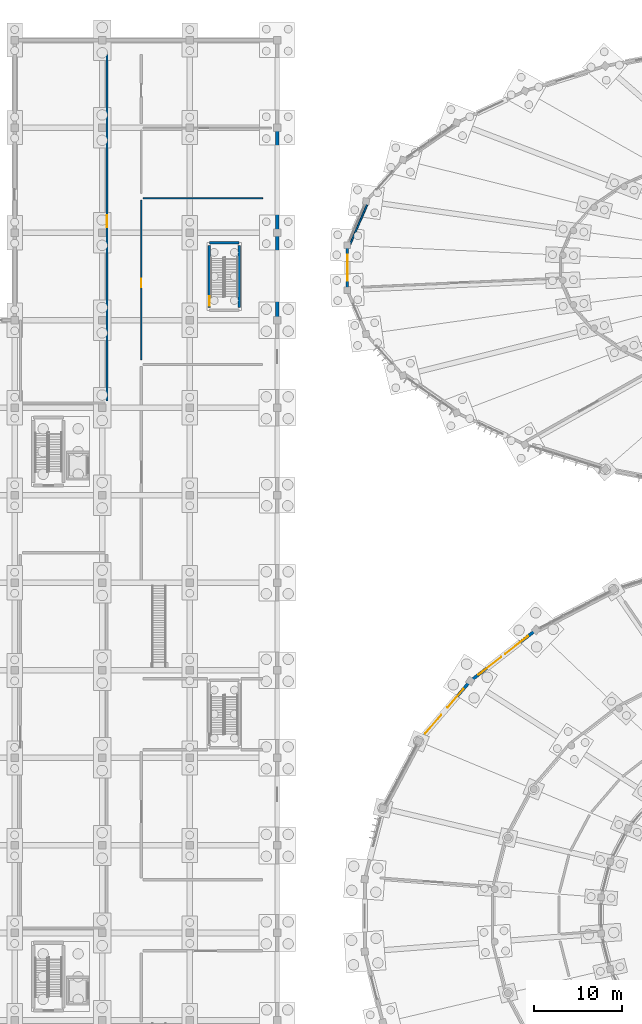
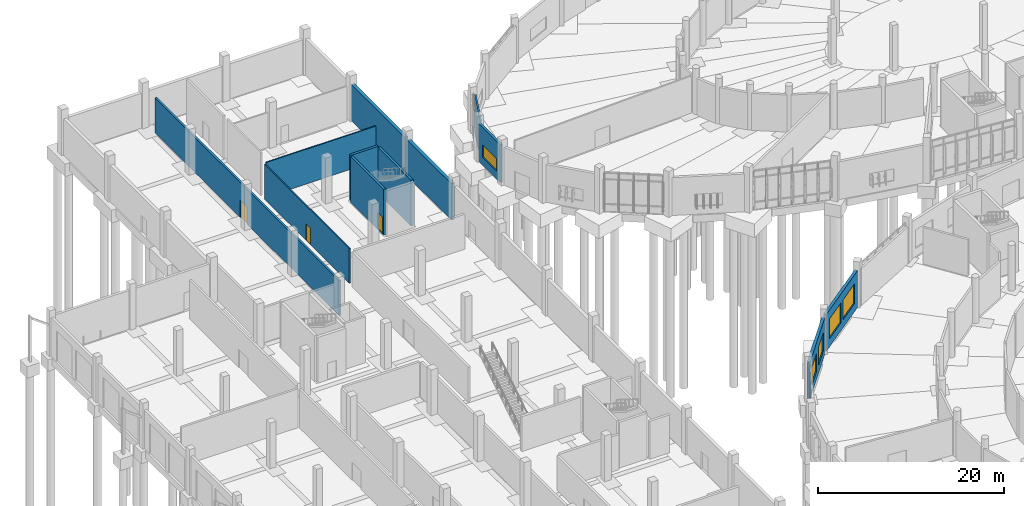
# One storey, part 82 of 140: 12 walls, 5 windows, 3 doors, 8 openings.
"""IFC4 building model written with IfcOpenShell, lengths in metres."""

from ifc_helpers import new_model, si_unit, direction, frame, frame_2d, origin, place, context, subcontext, project, spatial, rectangle, extrude, material, layer, layer_set, type_object, element, fill, save


model = new_model("IFC4")

# Units and contexts
model_context = context("Model", 3, precision=1e-05, world=origin(), true_north=direction((0.0, 1.0)))
body_context = subcontext(model_context, "Body", "Model", "MODEL_VIEW")
ifc_project = project(units=[si_unit("LENGTHUNIT", "METRE"), si_unit("AREAUNIT", "SQUARE_METRE"), si_unit("VOLUMEUNIT", "CUBIC_METRE"), si_unit("PLANEANGLEUNIT", "RADIAN"), si_unit("MASSUNIT", "GRAM", prefix="KILO")], contexts=[model_context])

# Site, building, storey
site_placement = place(None, origin())
site = spatial("IfcSite", under=ifc_project, at=site_placement, CompositionType="ELEMENT")
building_placement = place(site_placement, origin())
building = spatial("IfcBuilding", under=site, at=building_placement, Name="Corvandel Quay Wholesale Market", CompositionType="ELEMENT")
storey_placement = place(building_placement, origin())
storey = spatial("IfcBuildingStorey", under=building, at=storey_placement, Name="L00", CompositionType="ELEMENT", Elevation=0.0)

# Wall, opening, door
ifc_material_1 = material(Name="Lightweight concrete blockwork", Category="masonry")
ifc_layer_1 = layer(ifc_material_1, 0.239990234375)
ifc_layer_set_1 = layer_set([ifc_layer_1], Name="Lightweight concrete blockwork")
wall_type_1 = type_object("IfcWallType", Name="Fire Compartment Partition PT01 240", PredefinedType="PARTITIONING", material=ifc_layer_set_1)
wall_1_placement = place(storey_placement, frame((30.5400390625, 140.330078125, 0.0), z_axis=(0.0, 0.0, 1.0), x_axis=(0.0, -1.0, 0.0)))
wall_1 = element("IfcWall", 1, at=wall_1_placement, inside=storey, type_object=wall_type_1, Name="Interior Wall IW-0793", PredefinedType="PARTITIONING", context=body_context, shape_type="SweptSolid", body=[
    extrude(rectangle(XDim=39.550048828125, YDim=0.239990234375, at=frame_2d((19.77490234375, 0.0))), origin(), (0.0, 0.0, 1.0), 4.570068359375),
])
opening_1_placement = place(wall_1_placement, frame((18.324951171875, 0.0, 0.0)))
opening_1 = element("IfcOpeningElement", 2, at=opening_1_placement, cuts=wall_1, Name="Opening L00-D121", PredefinedType="OPENING", context=body_context, shape_type="SweptSolid", body=[
    extrude(rectangle(XDim=1.39990234375, YDim=2.25, at=frame_2d((0.699951171875, 1.125))), frame((0.0, 0.1298828125, 0.0), z_axis=(0.0, -1.0, 0.0), x_axis=(1.0, 0.0, 0.0)), (0.0, 0.0, 1.0), 0.260009765625),
])
ifc_material_2 = material(Name="Acoustic louvred fire-rated steel", Category="steel")
door_type_1 = type_object("IfcDoorType", Name="Plant Room Fire Door ID16 1400x2250R", OperationType="SINGLE_SWING_RIGHT", PredefinedType="DOOR", material=ifc_material_2)
door_1_placement = place(opening_1_placement, origin())
door_1 = element("IfcDoor", 3, at=door_1_placement, inside=storey, type_object=door_type_1, Name="Primary Electrical Substation Door", OperationType="SINGLE_SWING_RIGHT", OverallHeight=2.25, OverallWidth=1.39990234375, PredefinedType="DOOR", context=body_context, shape_type="SweptSolid", body=[
    extrude(rectangle(XDim=1.39990234375, YDim=2.25, at=frame_2d((0.699951171875, 1.125))), frame((0.0, 0.02490234375, 0.0), z_axis=(0.0, -1.0, 0.0), x_axis=(1.0, 0.0, 0.0)), (0.0, 0.0, 1.0), 0.050048828125),
])
fill(opening_1, door_1)

# Wall, opening, window
ifc_material_3 = material(Name="Marine precast concrete C45/55", Category="concrete")
ifc_layer_2 = layer(ifc_material_3, 0.31005859375)
ifc_layer_set_2 = layer_set([ifc_layer_2], Name="Marine precast concrete C45/55")
wall_type_2 = type_object("IfcWallType", Name="Fish Hall Marine Precast Wall EW06 310", PredefinedType="SOLIDWALL", material=ifc_layer_set_2)
wall_2_placement = place(storey_placement, frame((58.0, 118.321044921875, 0.0), z_axis=(0.0, 0.0, 1.0), x_axis=(0.0, -1.0, 0.0)))
wall_2 = element("IfcWall", 4, at=wall_2_placement, inside=storey, type_object=wall_type_2, Name="Exterior Wall EW-0121", PredefinedType="SOLIDWALL", context=body_context, shape_type="SweptSolid", body=[
    extrude(rectangle(XDim=4.64208984375, YDim=0.31005859375, at=frame_2d((2.321044921875, 0.0))), origin(), (0.0, 0.0, 1.0), 4.949951171875),
])
opening_2_placement = place(wall_2_placement, frame((0.821044921875, 0.0, 1.050048828125)))
opening_2 = element("IfcOpeningElement", 5, at=opening_2_placement, cuts=wall_2, Name="Opening L00-W059", PredefinedType="OPENING", context=body_context, shape_type="SweptSolid", body=[
    extrude(rectangle(XDim=3.0, YDim=1.60009765625, at=frame_2d((1.5, 0.800048828125))), frame((0.0, 0.1650390625, 0.0), z_axis=(0.0, -1.0, 0.0), x_axis=(1.0, 0.0, 0.0)), (0.0, 0.0, 1.0), 0.330078125),
])
ifc_material_4 = material(Name="Thermally broken bronze anodised aluminium and solar-control low-E double glazing", Category="aluminium")
window_type_1 = type_object("IfcWindowType", Name="Fish Hall High-Level Window WN06 3000x1600", PartitioningType="SINGLE_PANEL", PredefinedType="WINDOW", material=ifc_material_4)
window_1_placement = place(opening_2_placement, origin())
window_1 = element("IfcWindow", 6, at=window_1_placement, inside=storey, type_object=window_type_1, Name="Window L00-W059", OverallHeight=1.60009765625, OverallWidth=3.0, PartitioningType="SINGLE_PANEL", PredefinedType="WINDOW", context=body_context, shape_type="SweptSolid", body=[
    extrude(rectangle(XDim=3.0, YDim=1.60009765625, at=frame_2d((1.5, 0.800048828125))), frame((0.0, 0.030029296875, 0.0), z_axis=(0.0, -1.0, 0.0), x_axis=(1.0, 0.0, 0.0)), (0.0, 0.0, 1.0), 0.06005859375),
])
fill(opening_2, window_1)

# Walls
ifc_material_5 = material(Name="FRP-faced cementitious board stud wall")
ifc_layer_3 = layer(ifc_material_5, 0.179931640625)
ifc_layer_set_3 = layer_set([ifc_layer_3], Name="FRP-faced cementitious board stud wall")
wall_type_3 = type_object("IfcWallType", Name="Hygienic Washdown Partition PT05 180", PredefinedType="PARTITIONING", material=ifc_layer_set_3)
wall_3_placement = place(storey_placement, frame((58.3466796875, 118.710205078125, 0.0), z_axis=(0.0, 0.0, 1.0), x_axis=(0.393751898681, 0.919216754789, 0.0)))
element("IfcWall", 7, at=wall_3_placement, inside=storey, type_object=wall_type_3, Name="Interior Wall IW-0586", PredefinedType="PARTITIONING", context=body_context, shape_type="SweptSolid", body=[
    extrude(rectangle(XDim=4.9287109375, YDim=0.179931640625, at=frame_2d((2.46435546875, 0.0))), origin(), (0.0, 0.0, 1.0), 4.949951171875),
])
ifc_material_6 = material(Name="Insulated precast concrete C45/55", Category="concrete")
ifc_layer_4 = layer(ifc_material_6, 0.39990234375)
ifc_layer_set_4 = layer_set([ifc_layer_4], Name="Insulated precast concrete C45/55")
wall_type_4 = type_object("IfcWallType", Name="Insulated Cold Store Envelope Wall EW03 400", PredefinedType="SOLIDWALL", material=ifc_layer_set_4)
wall_4_placement = place(storey_placement, frame((50.0, 119.760009765625, 0.0), z_axis=(0.0, 0.0, 1.0), x_axis=(0.0, -1.0, 0.0)))
element("IfcWall", 8, at=wall_4_placement, inside=storey, type_object=wall_type_4, Name="Exterior Wall EW-0294", PredefinedType="SOLIDWALL", context=body_context, shape_type="SweptSolid", body=[
    extrude(rectangle(XDim=9.52001953125, YDim=0.39990234375, at=frame_2d((4.760009765625, 0.0))), origin(), (0.0, 0.0, 1.0), 4.77001953125),
])
wall_5_placement = place(storey_placement, frame((50.0, 131.760009765625, 0.0), z_axis=(0.0, 0.0, 1.0), x_axis=(0.0, -1.0, 0.0)))
element("IfcWall", 9, at=wall_5_placement, inside=storey, type_object=wall_type_4, Name="Exterior Wall EW-0300", PredefinedType="SOLIDWALL", context=body_context, shape_type="SweptSolid", body=[
    extrude(rectangle(XDim=11.52001953125, YDim=0.39990234375, at=frame_2d((5.760009765625, 0.0))), origin(), (0.0, 0.0, 1.0), 4.77001953125),
])

# Wall, opening, door
ifc_material_7 = material(Name="Double-layer acoustic gypsum stud partition")
ifc_layer_5 = layer(ifc_material_7, 0.139892578125)
ifc_layer_set_5 = layer_set([ifc_layer_5], Name="Double-layer acoustic gypsum stud partition")
wall_type_5 = type_object("IfcWallType", Name="Office Acoustic Partition PT07 140", PredefinedType="PARTITIONING", material=ifc_layer_set_5)
wall_6_placement = place(storey_placement, frame((34.4599609375, 105.47998046875, 0.0), z_axis=(0.0, 0.0, 1.0), x_axis=(0.0, 1.0, 0.0)))
wall_6 = element("IfcWall", 10, at=wall_6_placement, inside=storey, type_object=wall_type_5, Name="Interior Wall IW-0783", PredefinedType="PARTITIONING", context=body_context, shape_type="SweptSolid", body=[
    extrude(rectangle(XDim=18.239990234375, YDim=0.139892578125, at=frame_2d((9.1201171875, 0.0))), origin(), (0.0, 0.0, 1.0), 4.570068359375),
])
opening_3_placement = place(wall_6_placement, frame((8.27001953125, 0.0, 0.0)))
opening_3 = element("IfcOpeningElement", 11, at=opening_3_placement, cuts=wall_6, Name="Opening L00-D117", PredefinedType="OPENING", context=body_context, shape_type="SweptSolid", body=[
    extrude(rectangle(XDim=1.0, YDim=2.199951171875, at=frame_2d((0.5, 1.10009765625))), frame((0.0, 0.079833984375, 0.0), z_axis=(0.0, -1.0, 0.0), x_axis=(1.0, 0.0, 0.0)), (0.0, 0.0, 1.0), 0.159912109375),
])
ifc_material_8 = material(Name="Stained oak solid-core acoustic timber", Category="wood")
door_type_2 = type_object("IfcDoorType", Name="Office Entry Door ID09 1000x2200L", OperationType="SINGLE_SWING_LEFT", PredefinedType="DOOR", material=ifc_material_8)
door_2_placement = place(opening_3_placement, origin())
door_2 = element("IfcDoor", 12, at=door_2_placement, inside=storey, type_object=door_type_2, Name="Subzero Deep Freeze Chamber Door", OperationType="SINGLE_SWING_LEFT", OverallHeight=2.199951171875, OverallWidth=1.0, PredefinedType="DOOR", context=body_context, shape_type="SweptSolid", body=[
    extrude(rectangle(XDim=1.0, YDim=2.199951171875, at=frame_2d((0.5, 1.10009765625))), frame((0.0, 0.02490234375, 0.0), z_axis=(0.0, -1.0, 0.0), x_axis=(1.0, 0.0, 0.0)), (0.0, 0.0, 1.0), 0.050048828125),
])
fill(opening_3, door_2)

# Walls
wall_7_placement = place(storey_placement, frame((34.679931640625, 123.93994140625, 0.0), z_axis=(0.0, 0.0, 1.0), x_axis=(1.0, 0.0, 0.0)))
element("IfcWall", 13, at=wall_7_placement, inside=storey, type_object=wall_type_5, Name="Interior Wall IW-0784", PredefinedType="PARTITIONING", context=body_context, shape_type="SweptSolid", body=[
    extrude(rectangle(XDim=13.650146484375, YDim=0.139892578125, at=frame_2d((6.8251953125, 0.0))), origin(), (0.0, 0.0, 1.0), 4.570068359375),
])
ifc_material_9 = material(Name="Concrete C40/50", Category="concrete")
ifc_layer_6 = layer(ifc_material_9, 0.300048828125)
ifc_layer_set_6 = layer_set([ifc_layer_6], Name="Concrete C40/50")
wall_type_6 = type_object("IfcWallType", Name="Stair Shaft Shear Wall SW02 300", PredefinedType="SHEAR", material=ifc_layer_set_6)
wall_8_placement = place(storey_placement, frame((42.25, 118.85009765625, 0.0), z_axis=(0.0, 0.0, 1.0), x_axis=(1.0, 0.0, 0.0)))
element("IfcWall", 14, at=wall_8_placement, inside=storey, type_object=wall_type_6, Name="Shear Wall IW-0154", PredefinedType="SHEAR", context=body_context, shape_type="SweptSolid", body=[
    extrude(rectangle(XDim=3.39990234375, YDim=0.300048828125, at=frame_2d((1.699951171875, 0.0))), origin(), (0.0, 0.0, 1.0), 6.0),
])

# Wall, opening, door
wall_9_placement = place(storey_placement, frame((42.25, 111.43994140625, 0.0), z_axis=(0.0, 0.0, 1.0), x_axis=(0.0, 1.0, 0.0)))
wall_9 = element("IfcWall", 15, at=wall_9_placement, inside=storey, type_object=wall_type_6, Name="Shear Wall IW-0155", PredefinedType="SHEAR", context=body_context, shape_type="SweptSolid", body=[
    extrude(rectangle(XDim=7.1201171875, YDim=0.300048828125, at=frame_2d((3.56005859375, 0.0))), origin(), (0.0, 0.0, 1.0), 6.0),
])
opening_4_placement = place(wall_9_placement, frame((0.219970703125, 0.0, 0.0)))
opening_4 = element("IfcOpeningElement", 16, at=opening_4_placement, cuts=wall_9, Name="Opening L00-D070", PredefinedType="OPENING", context=body_context, shape_type="SweptSolid", body=[
    extrude(rectangle(XDim=1.10009765625, YDim=2.199951171875, at=frame_2d((0.550048828125, 1.10009765625))), frame((0.0, 0.159912109375, 0.0), z_axis=(0.0, -1.0, 0.0), x_axis=(1.0, 0.0, 0.0)), (0.0, 0.0, 1.0), 0.320068359375),
])
ifc_material_10 = material(Name="Galvanised fire-rated hollow steel", Category="steel")
door_type_3 = type_object("IfcDoorType", Name="Exit Stair Fire Door ID01 1100x2200L", OperationType="SINGLE_SWING_LEFT", PredefinedType="DOOR", material=ifc_material_10)
door_3_placement = place(opening_4_placement, origin())
door_3 = element("IfcDoor", 17, at=door_3_placement, inside=storey, type_object=door_type_3, Name="Exit Stair Door SH15-L00", OperationType="SINGLE_SWING_LEFT", OverallHeight=2.199951171875, OverallWidth=1.10009765625, PredefinedType="DOOR", context=body_context, shape_type="SweptSolid", body=[
    extrude(rectangle(XDim=1.10009765625, YDim=2.199951171875, at=frame_2d((0.550048828125, 1.10009765625))), frame((0.0, 0.02490234375, 0.0), z_axis=(0.0, -1.0, 0.0), x_axis=(1.0, 0.0, 0.0)), (0.0, 0.0, 1.0), 0.050048828125),
])
fill(opening_4, door_3)

# Wall
wall_10_placement = place(storey_placement, frame((45.64990234375, 111.43994140625, 0.0), z_axis=(0.0, 0.0, 1.0), x_axis=(0.0, 1.0, 0.0)))
element("IfcWall", 18, at=wall_10_placement, inside=storey, type_object=wall_type_6, Name="Shear Wall IW-0156", PredefinedType="SHEAR", context=body_context, shape_type="SweptSolid", body=[
    extrude(rectangle(XDim=7.1201171875, YDim=0.300048828125, at=frame_2d((3.56005859375, 0.0))), origin(), (0.0, 0.0, 1.0), 6.0),
])

# Wall, openings, windows
ifc_material_11 = material(Name="Terracotta precast concrete C45/55", Category="masonry")
ifc_layer_7 = layer(ifc_material_11, 0.340087890625)
ifc_layer_set_7 = layer_set([ifc_layer_7], Name="Terracotta precast concrete C45/55")
wall_type_7 = type_object("IfcWallType", Name="Terracotta Ribbed Precast Wall EW01 340", PredefinedType="SOLIDWALL", material=ifc_layer_set_7)
wall_11_placement = place(storey_placement, frame((79.364013671875, 74.458251953125, 0.0), z_axis=(0.0, 0.0, 1.0), x_axis=(-0.789327357341, -0.613972575082, 0.0)))
wall_11 = element("IfcWall", 19, at=wall_11_placement, inside=storey, type_object=wall_type_7, Name="Exterior Wall EW-0030", PredefinedType="SOLIDWALL", context=body_context, shape_type="SweptSolid", body=[
    extrude(rectangle(XDim=8.98974609375, YDim=0.340087890625, at=frame_2d((4.494873046875, 0.0))), origin(), (0.0, 0.0, 1.0), 4.830078125),
])
opening_5_placement = place(wall_11_placement, frame((0.89990234375, 0.0, 1.050048828125)))
opening_5 = element("IfcOpeningElement", 20, at=opening_5_placement, cuts=wall_11, Name="Opening L00-W017", PredefinedType="OPENING", context=body_context, shape_type="SweptSolid", body=[
    extrude(rectangle(XDim=3.300048828125, YDim=2.60009765625, at=frame_2d((1.64990234375, 1.300048828125))), frame((0.0, 0.179931640625, 0.0), z_axis=(0.0, -1.0, 0.0), x_axis=(1.0, 0.0, 0.0)), (0.0, 0.0, 1.0), 0.360107421875),
])
opening_6_placement = place(wall_11_placement, frame((4.7900390625, 0.0, 1.050048828125)))
opening_6 = element("IfcOpeningElement", 21, at=opening_6_placement, cuts=wall_11, Name="Opening L00-W018", PredefinedType="OPENING", context=body_context, shape_type="SweptSolid", body=[
    extrude(rectangle(XDim=3.300048828125, YDim=2.60009765625, at=frame_2d((1.64990234375, 1.300048828125))), frame((0.0, 0.179931640625, 0.0), z_axis=(0.0, -1.0, 0.0), x_axis=(1.0, 0.0, 0.0)), (0.0, 0.0, 1.0), 0.360107421875),
])
window_type_2 = type_object("IfcWindowType", Name="South Promenade Display Window WN26 3300x2600", PartitioningType="SINGLE_PANEL", PredefinedType="WINDOW", material=ifc_material_4)
window_2_placement = place(opening_5_placement, origin())
window_2 = element("IfcWindow", 22, at=window_2_placement, inside=storey, type_object=window_type_2, Name="Window L00-W017", OverallHeight=2.60009765625, OverallWidth=3.300048828125, PartitioningType="SINGLE_PANEL", PredefinedType="WINDOW", context=body_context, shape_type="SweptSolid", body=[
    extrude(rectangle(XDim=3.300048828125, YDim=2.60009765625, at=frame_2d((1.64990234375, 1.300048828125))), frame((0.0, 0.030029296875, 0.0), z_axis=(0.0, -1.0, 0.0), x_axis=(1.0, 0.0, 0.0)), (0.0, 0.0, 1.0), 0.06005859375),
])
fill(opening_5, window_2)
window_3_placement = place(opening_6_placement, origin())
window_3 = element("IfcWindow", 23, at=window_3_placement, inside=storey, type_object=window_type_2, Name="Window L00-W018", OverallHeight=2.60009765625, OverallWidth=3.300048828125, PartitioningType="SINGLE_PANEL", PredefinedType="WINDOW", context=body_context, shape_type="SweptSolid", body=[
    extrude(rectangle(XDim=3.300048828125, YDim=2.60009765625, at=frame_2d((1.64990234375, 1.300048828125))), frame((0.0, 0.030029296875, 0.0), z_axis=(0.0, -1.0, 0.0), x_axis=(1.0, 0.0, 0.0)), (0.0, 0.0, 1.0), 0.06005859375),
])
fill(opening_6, window_3)

wall_12_placement = place(storey_placement, frame((71.879150390625, 68.568115234375, 0.0), z_axis=(0.0, 0.0, 1.0), x_axis=(-0.651606697641, -0.758556992974, 0.0)))
wall_12 = element("IfcWall", 24, at=wall_12_placement, inside=storey, type_object=wall_type_7, Name="Exterior Wall EW-0034", PredefinedType="SOLIDWALL", context=body_context, shape_type="SweptSolid", body=[
    extrude(rectangle(XDim=8.5283203125, YDim=0.340087890625, at=frame_2d((4.26416015625, 0.0))), origin(), (0.0, 0.0, 1.0), 4.830078125),
])
opening_7_placement = place(wall_12_placement, frame((0.89990234375, 0.0, 1.050048828125)))
opening_7 = element("IfcOpeningElement", 25, at=opening_7_placement, cuts=wall_12, Name="Opening L00-W020", PredefinedType="OPENING", context=body_context, shape_type="SweptSolid", body=[
    extrude(rectangle(XDim=2.800048828125, YDim=2.39990234375, at=frame_2d((1.39990234375, 1.199951171875))), frame((0.0, 0.179931640625, 0.0), z_axis=(0.0, -1.0, 0.0), x_axis=(1.0, 0.0, 0.0)), (0.0, 0.0, 1.0), 0.360107421875),
])
opening_8_placement = place(wall_12_placement, frame((4.8291015625, 0.0, 1.050048828125)))
opening_8 = element("IfcOpeningElement", 26, at=opening_8_placement, cuts=wall_12, Name="Opening L00-W021", PredefinedType="OPENING", context=body_context, shape_type="SweptSolid", body=[
    extrude(rectangle(XDim=2.800048828125, YDim=2.39990234375, at=frame_2d((1.39990234375, 1.199951171875))), frame((0.0, 0.179931640625, 0.0), z_axis=(0.0, -1.0, 0.0), x_axis=(1.0, 0.0, 0.0)), (0.0, 0.0, 1.0), 0.360107421875),
])
window_type_3 = type_object("IfcWindowType", Name="Produce Hall Arched Ribbon Window WN01 2800x2400", PartitioningType="SINGLE_PANEL", PredefinedType="WINDOW", material=ifc_material_4)
window_4_placement = place(opening_7_placement, origin())
window_4 = element("IfcWindow", 27, at=window_4_placement, inside=storey, type_object=window_type_3, Name="Window L00-W020", OverallHeight=2.39990234375, OverallWidth=2.800048828125, PartitioningType="SINGLE_PANEL", PredefinedType="WINDOW", context=body_context, shape_type="SweptSolid", body=[
    extrude(rectangle(XDim=2.800048828125, YDim=2.39990234375, at=frame_2d((1.39990234375, 1.199951171875))), frame((0.0, 0.030029296875, 0.0), z_axis=(0.0, -1.0, 0.0), x_axis=(1.0, 0.0, 0.0)), (0.0, 0.0, 1.0), 0.06005859375),
])
fill(opening_7, window_4)
window_5_placement = place(opening_8_placement, origin())
window_5 = element("IfcWindow", 28, at=window_5_placement, inside=storey, type_object=window_type_3, Name="Window L00-W021", OverallHeight=2.39990234375, OverallWidth=2.800048828125, PartitioningType="SINGLE_PANEL", PredefinedType="WINDOW", context=body_context, shape_type="SweptSolid", body=[
    extrude(rectangle(XDim=2.800048828125, YDim=2.39990234375, at=frame_2d((1.39990234375, 1.199951171875))), frame((0.0, 0.030029296875, 0.0), z_axis=(0.0, -1.0, 0.0), x_axis=(1.0, 0.0, 0.0)), (0.0, 0.0, 1.0), 0.06005859375),
])
fill(opening_8, window_5)

save(model, "model.ifc")
